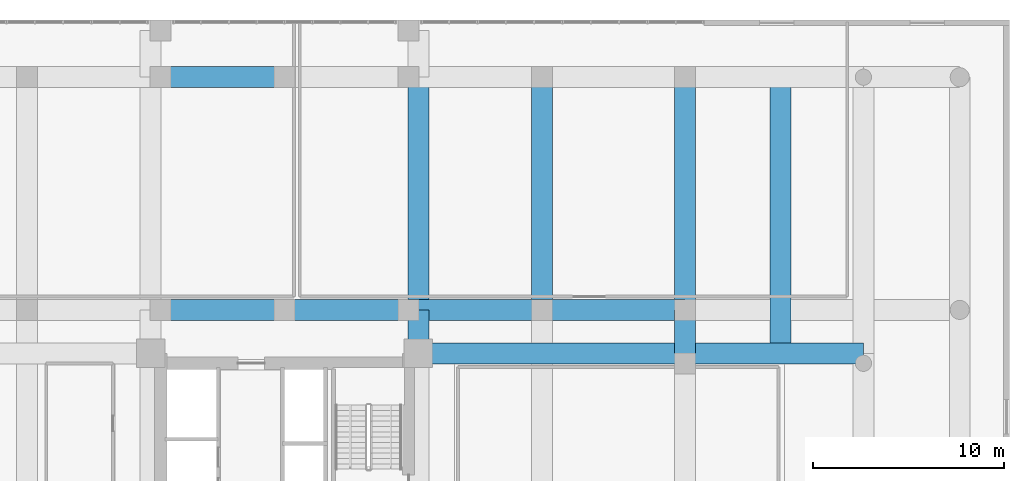
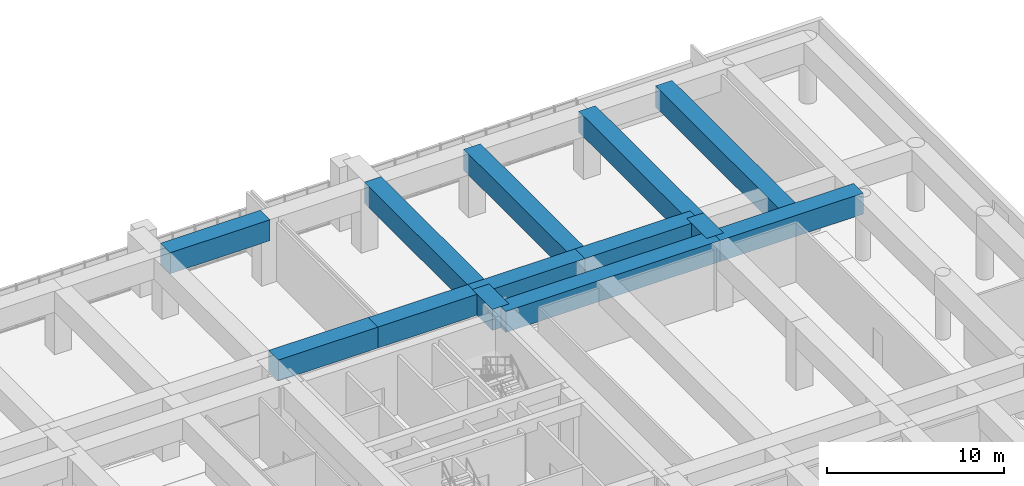
# One storey, part 11 of 28: 13 beams.
"""IFC4 building model written with IfcOpenShell, lengths in metres."""

import ifcopenshell
import ifcopenshell.guid

model = None  # the IFC model being written
_history = None  # IfcOwnerHistory: only IFC2X3 demands one
_inside = {}  # id of a spatial element -> (the spatial element, [elements in it])
_under = {}  # id of a project, library or spatial element -> (it, [spatial elements below it])
_declared = {}  # id of a project -> (the project, [libraries it declares])
_typed = {}  # id of a type object -> (the type object, [elements of that type])
_made_of = {}  # id of a material, layer set ... -> (it, [elements and type objects made of it])


def new_model(schema):
    """Start an empty IFC model of exactly this schema.

    Asked for "IFC4X3", IfcOpenShell would pick the latest addendum, in which some entities
    have other attributes; the version numbers below select the first issue.
    IFC2X3 requires an IfcOwnerHistory on every rooted entity: one is made here for all.
    """
    global model, _history
    if schema == "IFC4X3":
        model = ifcopenshell.file(schema_version=(4, 3, 0, 0))
    else:
        model = ifcopenshell.file(schema=schema)
    _inside.clear()
    _under.clear()
    _declared.clear()
    _typed.clear()
    _made_of.clear()
    _history = None
    if model.schema == "IFC2X3":
        org = make("IfcOrganization", Name="unknown")
        user = make(
            "IfcPersonAndOrganization",
            ThePerson=make("IfcPerson", FamilyName="unknown"),
            TheOrganization=org,
        )
        app = make(
            "IfcApplication",
            ApplicationDeveloper=org,
            Version="unknown",
            ApplicationFullName="unknown",
            ApplicationIdentifier="unknown",
        )
        _history = make(
            "IfcOwnerHistory",
            OwningUser=user,
            OwningApplication=app,
            ChangeAction="ADDED",
            CreationDate=0,
        )
    return model


def make(cls, **values):
    """One entity of the class cls with the attributes given. An attribute that is None is left unset."""
    return model.create_entity(
        cls, **{name: value for name, value in values.items() if value is not None}
    )


def rooted(cls, **values):
    """An entity with a GlobalId (a new one), such as an element, a storey or a relation."""
    return make(cls, GlobalId=ifcopenshell.guid.new(), OwnerHistory=_history, **values)


def si_unit(unit_type, name, prefix=None):
    """IfcSIUnit, for example si_unit("LENGTHUNIT", "METRE", prefix="MILLI")."""
    return make("IfcSIUnit", UnitType=unit_type, Prefix=prefix, Name=name)


def assignment(units):
    """IfcUnitAssignment: the units of a project."""
    return None if units is None else make("IfcUnitAssignment", Units=units)


def point(xyz):
    """IfcCartesianPoint."""
    return None if xyz is None else make("IfcCartesianPoint", Coordinates=xyz)


def direction(xyz):
    """IfcDirection."""
    return None if xyz is None else make("IfcDirection", DirectionRatios=xyz)


def frame(location, z_axis=None, x_axis=None):
    """IfcAxis2Placement3D, a coordinate frame: its origin and axes. An axis left out is left unset."""
    return make(
        "IfcAxis2Placement3D",
        Location=point(location),
        Axis=direction(z_axis),
        RefDirection=direction(x_axis),
    )


def frame_2d(location, x_axis=None):
    """IfcAxis2Placement2D, a coordinate frame in the plane: its origin and x axis."""
    return make(
        "IfcAxis2Placement2D", Location=point(location), RefDirection=direction(x_axis)
    )


def origin():
    """The frame at (0, 0, 0) with its axes left unset."""
    return frame((0.0, 0.0, 0.0))


def origin_2d():
    """The frame at (0, 0) in the plane with its x axis left unset."""
    return frame_2d((0.0, 0.0))


def place(relative_to, where):
    """IfcLocalPlacement: puts the frame where relative to a parent placement (None: the world)."""
    return make(
        "IfcLocalPlacement", PlacementRelTo=relative_to, RelativePlacement=where
    )


def context(
    kind, dimensions, precision=None, world=None, true_north=None, identifier=None
):
    """IfcGeometricRepresentationContext, for example the 3D "Model" context."""
    return make(
        "IfcGeometricRepresentationContext",
        ContextIdentifier=identifier,
        ContextType=kind,
        CoordinateSpaceDimension=dimensions,
        Precision=precision,
        WorldCoordinateSystem=world,
        TrueNorth=true_north,
    )


def subcontext(parent, identifier, kind, view, scale=None):
    """IfcGeometricRepresentationSubContext, for example "Body" below "Model"."""
    return make(
        "IfcGeometricRepresentationSubContext",
        ContextIdentifier=identifier,
        ContextType=kind,
        ParentContext=parent,
        TargetScale=scale,
        TargetView=view,
    )


def project(units=None, contexts=None):
    """IfcProject with its units and contexts."""
    return rooted(
        "IfcProject",
        Name="project",
        RepresentationContexts=contexts,
        UnitsInContext=assignment(units),
    )


def spatial(cls, under=None, at=None, **own):
    """A site, building, storey or space (cls), placed at a placement, below another one or the project."""
    s = rooted(cls, ObjectPlacement=at, **own)
    if under is not None:
        _under.setdefault(under.id(), (under, []))[1].append(s)
    return s


def profile(cls, at=None, kind="AREA", **sizes):
    """A parametric profile (cls). Its sizes go by their IFC names, for example OverallWidth=200.0."""
    return make(cls, ProfileType=kind, Position=at, **sizes)


def rectangle(**sizes):
    """IfcRectangleProfileDef."""
    return profile("IfcRectangleProfileDef", **sizes)


def extrude(swept, where, along, depth):
    """IfcExtrudedAreaSolid: the profile swept, set in the frame where, extruded along a direction by depth."""
    return make(
        "IfcExtrudedAreaSolid",
        SweptArea=swept,
        Position=where,
        ExtrudedDirection=direction(along),
        Depth=depth,
    )


def shape(context_of_items, identifier, shape_type, items):
    """IfcShapeRepresentation: the items that make up one representation, for example the "Body"."""
    return make(
        "IfcShapeRepresentation",
        ContextOfItems=context_of_items,
        RepresentationIdentifier=identifier,
        RepresentationType=shape_type,
        Items=items,
    )


def source(mapping_origin, context_of_items, identifier, shape_type, items):
    """IfcRepresentationMap: a shape defined once, which mapped items show again and again."""
    return make(
        "IfcRepresentationMap",
        MappingOrigin=mapping_origin,
        MappedRepresentation=shape(context_of_items, identifier, shape_type, items),
    )


def transform(
    local_origin,
    x_axis=None,
    y_axis=None,
    z_axis=None,
    scale=None,
    scale2=None,
    scale3=None,
    uniform=True,
):
    """IfcCartesianTransformationOperator3D, or its non-uniform kind. x_axis, y_axis, z_axis: its Axis1, 2, 3."""
    if uniform:
        return make(
            "IfcCartesianTransformationOperator3D",
            Axis1=direction(x_axis),
            Axis2=direction(y_axis),
            LocalOrigin=point(local_origin),
            Scale=scale,
            Axis3=direction(z_axis),
        )
    return make(
        "IfcCartesianTransformationOperator3DnonUniform",
        Axis1=direction(x_axis),
        Axis2=direction(y_axis),
        LocalOrigin=point(local_origin),
        Scale=scale,
        Axis3=direction(z_axis),
        Scale2=scale2,
        Scale3=scale3,
    )


def mapped(mapping_source, mapping_target):
    """IfcMappedItem: shows the shape of a source again, moved by a transform."""
    return make(
        "IfcMappedItem", MappingSource=mapping_source, MappingTarget=mapping_target
    )


def material(Name=None, Category=None):
    """IfcMaterial."""
    return make("IfcMaterial", Name=Name, Category=Category)


def material_profile(
    of_material, cross_section, Name=None, Category=None, Priority=None
):
    """IfcMaterialProfile: a cross section and its material."""
    return make(
        "IfcMaterialProfile",
        Name=Name,
        Material=of_material,
        Profile=cross_section,
        Priority=Priority,
        Category=Category,
    )


def profile_set(profiles, Name=None, composite=None):
    """IfcMaterialProfileSet."""
    return make(
        "IfcMaterialProfileSet",
        Name=Name,
        MaterialProfiles=profiles,
        CompositeProfile=composite,
    )


def made_of(thing, what):
    """Note that an element or type object is made of a material, layer set ...; save() writes the relation."""
    if what is not None:
        _made_of.setdefault(what.id(), (what, []))[1].append(thing)
    return thing


def type_object(cls, material=None, **own):
    """A type object (cls), such as IfcWallType, which elements share."""
    return made_of(rooted(cls, **own), material)


def element(
    cls,
    number,
    at=None,
    inside=None,
    cuts=None,
    type_object=None,
    material=None,
    context=None,
    identifier="Body",
    shape_type=None,
    held_by="IfcProductDefinitionShape",
    body=None,
    shapes=None,
    **own,
):
    """One element of the class cls, such as IfcWall. Its Tag is "e" and its number.

    at: its placement. inside: the storey or other place that contains it. cuts: it is an
    opening in that element (IfcRelVoidsElement). A single representation is given by context,
    identifier, shape_type and body (its items); several are given by shapes. held_by: the class
    of the entity that holds the representations. save() writes the other relations.
    """
    e = rooted(cls, Tag="e%d" % number, ObjectPlacement=at, **own)
    if body is not None:
        shapes = [shape(context, identifier, shape_type, body)]
    if shapes is not None:
        e.Representation = make(held_by, Representations=shapes)
    if inside is not None:
        _inside.setdefault(inside.id(), (inside, []))[1].append(e)
    if cuts is not None:
        rooted(
            "IfcRelVoidsElement", RelatingBuildingElement=cuts, RelatedOpeningElement=e
        )
    if type_object is not None:
        _typed.setdefault(type_object.id(), (type_object, []))[1].append(e)
    return made_of(e, material)


def aggregate(whole, parts):
    """IfcRelAggregates: a whole, such as a stair, and the parts it consists of."""
    return rooted("IfcRelAggregates", RelatingObject=whole, RelatedObjects=parts)


def save(model, path):
    """Write the relations noted so far, then the file.

    IfcRelAggregates (storeys below a building ...), IfcRelContainedInSpatialStructure (elements
    in a storey), IfcRelDefinesByType, IfcRelAssociatesMaterial and IfcRelDeclares: one each for
    every whole, place, type object, material and project.
    """
    for whole, parts in _under.values():
        aggregate(whole, parts)
    for where, things in _inside.values():
        rooted(
            "IfcRelContainedInSpatialStructure",
            RelatedElements=things,
            RelatingStructure=where,
        )
    for kind, things in _typed.values():
        rooted("IfcRelDefinesByType", RelatedObjects=things, RelatingType=kind)
    for what, things in _made_of.values():
        rooted("IfcRelAssociatesMaterial", RelatedObjects=things, RelatingMaterial=what)
    for by, libraries in _declared.values():
        rooted("IfcRelDeclares", RelatingContext=by, RelatedDefinitions=libraries)
    model.write(path)


model = new_model("IFC4")

# Units and contexts
model_context = context("Model", 3, precision=1e-05, world=origin(), true_north=direction((0.0, 1.0)))
body_context = subcontext(model_context, "Body", "Model", "MODEL_VIEW")
ifc_project = project(units=[si_unit("LENGTHUNIT", "METRE"), si_unit("AREAUNIT", "SQUARE_METRE"), si_unit("VOLUMEUNIT", "CUBIC_METRE"), si_unit("PLANEANGLEUNIT", "RADIAN"), si_unit("MASSUNIT", "GRAM", prefix="KILO")], contexts=[model_context])

# Site, building, storey
site_placement = place(None, origin())
site = spatial("IfcSite", under=ifc_project, at=site_placement, CompositionType="ELEMENT")
building_placement = place(site_placement, origin())
building = spatial("IfcBuilding", under=site, at=building_placement, Name="Saelheon Loggia Tower", CompositionType="ELEMENT")
storey_placement = place(building_placement, frame((0.0, 0.0, 15.0)))
storey = spatial("IfcBuildingStorey", under=building, at=storey_placement, Name="L04", CompositionType="ELEMENT", Elevation=15.0)

# Beams
ifc_material = material(Name="Concrete C50/60", Category="concrete")
ifc_material_profile = material_profile(ifc_material, rectangle(XDim=1.10009765625, YDim=1.449951171875, at=origin_2d()), Name="RC-1100x1450")
ifc_profile_set = profile_set([ifc_material_profile], Name="Concrete C50/60")
beam_type = type_object("IfcBeamType", Name="Beam_Transfer_RC1100x1450", PredefinedType="BEAM", material=ifc_profile_set)
shared_shape_1 = source(origin(), body_context, "Body", "SweptSolid", [
    extrude(rectangle(XDim=1.10009765625, YDim=1.449951171875, at=origin_2d()), origin(), (0.0, 0.0, 1.0), 7.5),
])
beam_1_placement = place(storey_placement, frame((51.5, 38.800048828125, 3.675048828125), z_axis=(1.0, 0.0, 0.0), x_axis=(0.0, 1.0, 0.0)))
element("IfcBeam", 1, at=beam_1_placement, inside=storey, type_object=beam_type, Name="BM-L04-EW-38-7", PredefinedType="BEAM", context=body_context, shape_type="MappedRepresentation", body=[
    mapped(shared_shape_1, transform((0.0, 0.0, 0.0), scale=1.0)),
])
shared_shape_2 = source(origin(), body_context, "Body", "SweptSolid", [
    extrude(rectangle(XDim=1.10009765625, YDim=1.449951171875, at=origin_2d()), origin(), (0.0, 0.0, 1.0), 7.0),
])
beam_2_placement = place(storey_placement, frame((44.5, 38.800048828125, 3.675048828125), z_axis=(1.0, 0.0, 0.0), x_axis=(0.0, 1.0, 0.0)))
element("IfcBeam", 2, at=beam_2_placement, inside=storey, type_object=beam_type, Name="BM-L04-EW-38-6", PredefinedType="BEAM", context=body_context, shape_type="MappedRepresentation", body=[
    mapped(shared_shape_2, transform((0.0, 0.0, 0.0), scale=1.0)),
])
shared_shape_3 = source(origin(), body_context, "Body", "SweptSolid", [
    extrude(rectangle(XDim=1.10009765625, YDim=1.449951171875, at=origin_2d()), origin(), (0.0, 0.0, 1.0), 6.5),
])
for number, where, z_axis, x_axis, name in (
    (3, (31.5, 38.800048828125, 3.675048828125), (1.0, 0.0, 0.0), (0.0, 1.0, 0.0), "BM-L04-EW-38-4"),
    (4, (38.0, 38.800048828125, 3.675048828125), (1.0, 0.0, 0.0), (0.0, 1.0, 0.0), "BM-L04-EW-38-5"),
    (5, (31.5, 51.0, 3.675048828125), (1.0, 0.0, 0.0), (0.0, 1.0, 0.0), "BM-L04-EW-51-5"),
):
    element("IfcBeam", number, at=place(storey_placement, frame(where, z_axis=z_axis, x_axis=x_axis)), inside=storey, type_object=beam_type, Name=name, PredefinedType="BEAM", context=body_context, shape_type="MappedRepresentation", body=[
        mapped(shared_shape_3, transform((0.0, 0.0, 0.0), scale=1.0)),
    ])
shared_shape_4 = source(origin(), body_context, "Body", "SweptSolid", [
    extrude(rectangle(XDim=1.10009765625, YDim=1.449951171875, at=origin_2d()), origin(), (0.0, 0.0, 1.0), 9.35009765625),
])
beam_3_placement = place(storey_placement, frame((59.0, 36.52001953125, 3.675048828125), z_axis=(1.0, 0.0, 0.0), x_axis=(0.0, 1.0, 0.0)))
element("IfcBeam", 6, at=beam_3_placement, inside=storey, type_object=beam_type, Name="BM-L04-CT-36-E1", PredefinedType="BEAM", context=body_context, shape_type="MappedRepresentation", body=[
    mapped(shared_shape_4, transform((0.0, 0.0, 0.0), scale=1.0)),
])
shared_shape_5 = source(origin(), body_context, "Body", "SweptSolid", [
    extrude(rectangle(XDim=1.10009765625, YDim=1.449951171875, at=origin_2d()), origin(), (0.0, 0.0, 1.0), 13.97998046875),
])
beam_4_placement = place(storey_placement, frame((45.02001953125, 36.52001953125, 3.675048828125), z_axis=(1.0, 0.0, 0.0), x_axis=(0.0, 1.0, 0.0)))
element("IfcBeam", 7, at=beam_4_placement, inside=storey, type_object=beam_type, Name="BM-L04-CT-36-E2", PredefinedType="BEAM", context=body_context, shape_type="MappedRepresentation", body=[
    mapped(shared_shape_5, transform((0.0, 0.0, 0.0), scale=1.0)),
])
shared_shape_6 = source(origin(), body_context, "Body", "SweptSolid", [
    extrude(rectangle(XDim=1.10009765625, YDim=1.449951171875, at=origin_2d()), origin(), (0.0, 0.0, 1.0), 12.199951171875),
])
for number, where, z_axis, x_axis, name in (
    (8, (45.02001953125, 38.800048828125, 3.675048828125), (0.0, 1.0, 0.0), (-1.0, 0.0, 0.0), "BM-L04-NS-45-6"),
    (9, (51.5, 38.800048828125, 3.675048828125), (0.0, 1.0, 0.0), (-1.0, 0.0, 0.0), "BM-L04-NS-51-3"),
    (10, (59.0, 38.800048828125, 3.675048828125), (0.0, 1.0, 0.0), (-1.0, 0.0, 0.0), "BM-L04-NS-59-6"),
):
    element("IfcBeam", number, at=place(storey_placement, frame(where, z_axis=z_axis, x_axis=x_axis)), inside=storey, type_object=beam_type, Name=name, PredefinedType="BEAM", context=body_context, shape_type="MappedRepresentation", body=[
        mapped(shared_shape_6, transform((0.0, 0.0, 0.0), scale=1.0)),
    ])
shared_shape_7 = source(origin(), body_context, "Body", "SweptSolid", [
    extrude(rectangle(XDim=1.10009765625, YDim=1.449951171875, at=origin_2d()), origin(), (0.0, 0.0, 1.0), 2.280029296875),
])
for number, where, z_axis, x_axis, name in (
    (11, (45.02001953125, 36.52001953125, 3.675048828125), (0.0, 1.0, 0.0), (-1.0, 0.0, 0.0), "BM-L04-NS-45-5"),
    (12, (59.0, 36.52001953125, 3.675048828125), (0.0, 1.0, 0.0), (-1.0, 0.0, 0.0), "BM-L04-NS-59-5"),
):
    element("IfcBeam", number, at=place(storey_placement, frame(where, z_axis=z_axis, x_axis=x_axis)), inside=storey, type_object=beam_type, Name=name, PredefinedType="BEAM", context=body_context, shape_type="MappedRepresentation", body=[
        mapped(shared_shape_7, transform((0.0, 0.0, 0.0), scale=1.0)),
    ])
shared_shape_8 = source(origin(), body_context, "Body", "SweptSolid", [
    extrude(rectangle(XDim=1.10009765625, YDim=1.449951171875, at=origin_2d()), origin(), (0.0, 0.0, 1.0), 15.0),
])
beam_5_placement = place(storey_placement, frame((64.0, 36.0, 3.675048828125), z_axis=(0.0, 1.0, 0.0), x_axis=(-1.0, 0.0, 0.0)))
element("IfcBeam", 13, at=beam_5_placement, inside=storey, type_object=beam_type, Name="TG-L04-TE-N", PredefinedType="BEAM", context=body_context, shape_type="MappedRepresentation", body=[
    mapped(shared_shape_8, transform((0.0, 0.0, 0.0), scale=1.0)),
])

save(model, "model.ifc")
